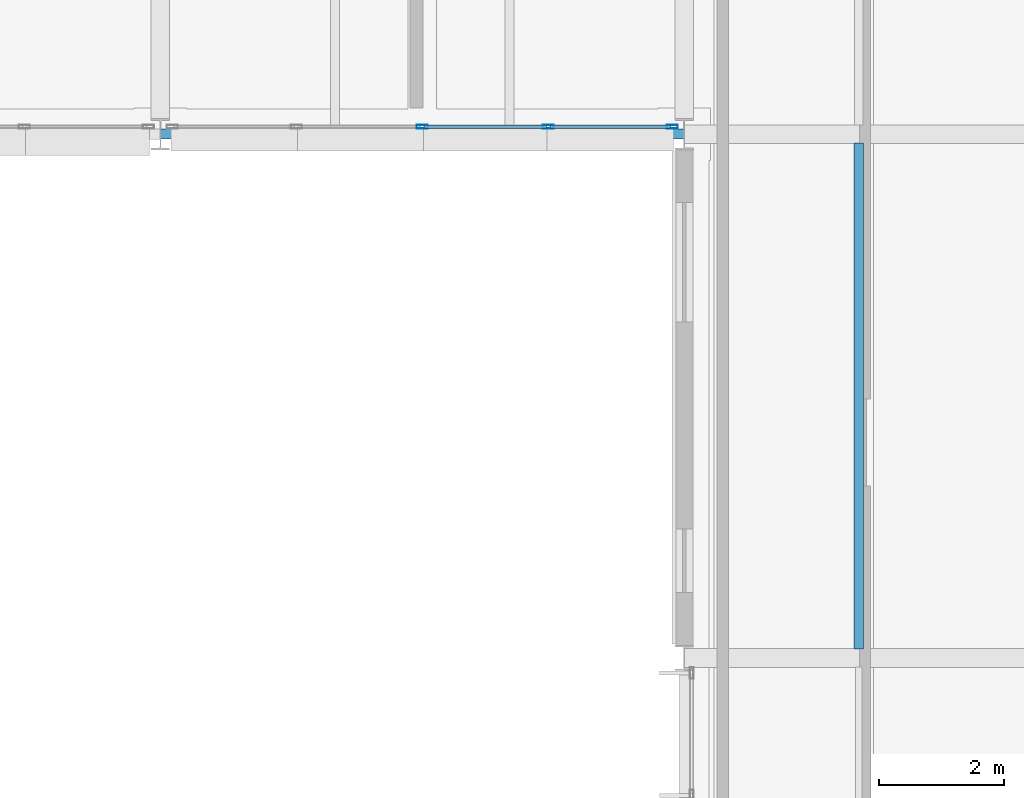
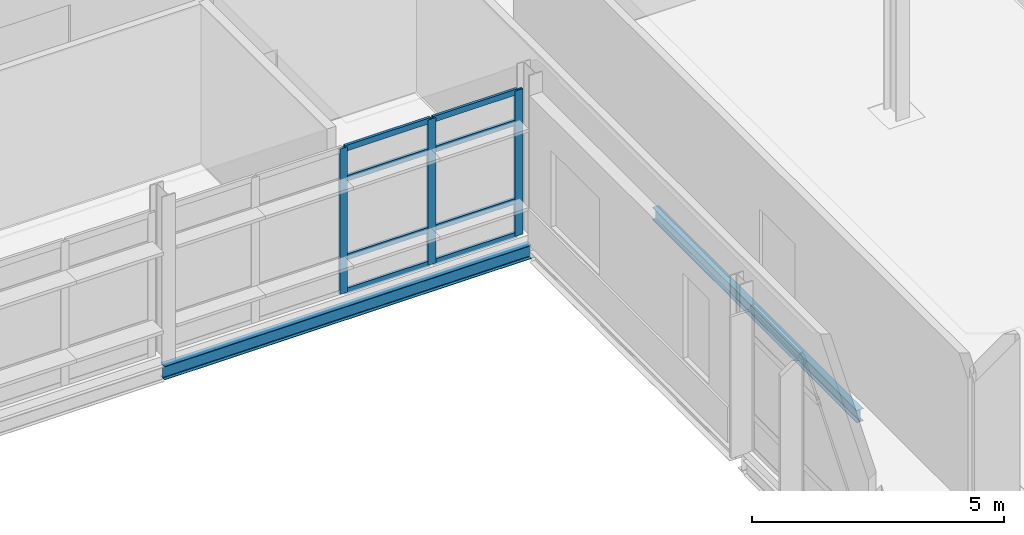
# One storey, part 73 of 151: 11 members, 2 beams, 1 element without a shape of its own.
"""IFC4 building model written with IfcOpenShell, lengths in metres."""

from ifc_helpers import new_model, si_unit, direction, frame, origin, origin_2d, place, context, subcontext, project, spatial, hollow_rectangle, i_section, extrude, material, material_profile, profile_set, type_object, element, aggregate, save


model = new_model("IFC4")

# Units and contexts
model_context = context("Model", 3, precision=1e-05, world=origin(), true_north=direction((0.0, 1.0)))
body_context = subcontext(model_context, "Body", "Model", "MODEL_VIEW")
ifc_project = project(units=[si_unit("LENGTHUNIT", "METRE"), si_unit("AREAUNIT", "SQUARE_METRE"), si_unit("VOLUMEUNIT", "CUBIC_METRE"), si_unit("PLANEANGLEUNIT", "RADIAN"), si_unit("MASSUNIT", "GRAM", prefix="KILO")], contexts=[model_context])

# Site, building, storey
site_placement = place(None, origin())
site = spatial("IfcSite", under=ifc_project, at=site_placement, CompositionType="ELEMENT")
building_placement = place(site_placement, origin())
building = spatial("IfcBuilding", under=site, at=building_placement, Name="Mersafa Astral City Hall", CompositionType="ELEMENT")
storey_placement = place(building_placement, frame((0.0, 0.0, 9.89990234375)))
storey = spatial("IfcBuildingStorey", under=building, at=storey_placement, Name="L02", CompositionType="ELEMENT", Elevation=9.89990234375)

# Curtain wall, members
ifc_material_1 = material(Name="Anodised bronze aluminium framing", Category="aluminium")
curtain_wall_type = type_object("IfcCurtainWallType", Name="ENV-CW-4", PredefinedType="USERDEFINED", material=ifc_material_1)
curtain_wall_placement = place(storey_placement, origin())
curtain_wall = element("IfcCurtainWall", 1, at=curtain_wall_placement, inside=storey, type_object=curtain_wall_type, Name="L02 Unitised solar curtain wall 141", ObjectType="UNITISED CURTAIN WALL", PredefinedType="USERDEFINED")
ifc_material_profile_1 = material_profile(ifc_material_1, hollow_rectangle(XDim=0.06005859375, YDim=0.179931640625, WallThickness=0.00390625, at=origin_2d()), Name="RHS 60x180x4")
ifc_profile_set_1 = profile_set([ifc_material_profile_1], Name="Anodised bronze aluminium framing")
member_type_1 = type_object("IfcMemberType", Name="ENV-CW-MUL-1", PredefinedType="MULLION", material=ifc_profile_set_1)
member_1_placement = place(storey_placement, frame((96.60009765625, 117.719970703125, -0.001953125), z_axis=(0.0, 0.0, 1.0), x_axis=(0.0, 1.0, 0.0)))
member_1 = element("IfcMember", 2, at=member_1_placement, type_object=member_type_1, Name="CW-4 mullion 3", PredefinedType="MULLION", context=body_context, shape_type="SweptSolid", body=[
    extrude(hollow_rectangle(XDim=0.06005859375, YDim=0.179931640625, WallThickness=0.00390625, at=origin_2d()), origin(), (0.0, 0.0, 1.0), 3.51904296875),
])
member_2_placement = place(storey_placement, frame((98.618896484375, 117.719970703125, -0.001953125), z_axis=(0.0, 0.0, 1.0), x_axis=(0.0, 1.0, 0.0)))
member_2 = element("IfcMember", 3, at=member_2_placement, type_object=member_type_1, Name="CW-4 mullion 4", PredefinedType="MULLION", context=body_context, shape_type="SweptSolid", body=[
    extrude(hollow_rectangle(XDim=0.06005859375, YDim=0.179931640625, WallThickness=0.00390625, at=origin_2d()), origin(), (0.0, 0.0, 1.0), 3.51904296875),
])
member_3_placement = place(storey_placement, frame((100.60791015625, 117.719970703125, -0.001953125), z_axis=(0.0, 0.0, 1.0), x_axis=(0.0, 1.0, 0.0)))
member_3 = element("IfcMember", 4, at=member_3_placement, type_object=member_type_1, Name="CW-4 mullion 5", PredefinedType="MULLION", context=body_context, shape_type="SweptSolid", body=[
    extrude(hollow_rectangle(XDim=0.06005859375, YDim=0.179931640625, WallThickness=0.00390625, at=origin_2d()), origin(), (0.0, 0.0, 1.0), 3.51904296875),
])
ifc_material_profile_2 = material_profile(ifc_material_1, hollow_rectangle(XDim=0.06005859375, YDim=0.139892578125, WallThickness=0.00390625, at=origin_2d()), Name="RHS 60x140x4")
ifc_profile_set_2 = profile_set([ifc_material_profile_2], Name="Anodised bronze aluminium framing")
member_type_2 = type_object("IfcMemberType", Name="ENV-CW-TRN-1", PredefinedType="USERDEFINED", material=ifc_profile_set_2)
member_4_placement = place(storey_placement, frame((96.6298828125, 117.719970703125, 0.028076171875), z_axis=(1.0, 0.0, 0.0), x_axis=(0.0, 1.0, 0.0)))
member_4 = element("IfcMember", 5, at=member_4_placement, type_object=member_type_2, Name="CW-4 transom 3.1", ObjectType="TRANSOM", PredefinedType="USERDEFINED", context=body_context, shape_type="SweptSolid", body=[
    extrude(hollow_rectangle(XDim=0.06005859375, YDim=0.139892578125, WallThickness=0.00390625, at=origin_2d()), origin(), (0.0, 0.0, 1.0), 1.959228515625),
])
member_5_placement = place(storey_placement, frame((96.6298828125, 117.719970703125, 0.85009765625), z_axis=(1.0, 0.0, 0.0), x_axis=(0.0, 1.0, 0.0)))
member_5 = element("IfcMember", 6, at=member_5_placement, type_object=member_type_2, Name="CW-4 transom 3.2", ObjectType="TRANSOM", PredefinedType="USERDEFINED", context=body_context, shape_type="SweptSolid", body=[
    extrude(hollow_rectangle(XDim=0.06005859375, YDim=0.139892578125, WallThickness=0.00390625, at=origin_2d()), origin(), (0.0, 0.0, 1.0), 1.959228515625),
])
member_6_placement = place(storey_placement, frame((96.6298828125, 117.719970703125, 2.75), z_axis=(1.0, 0.0, 0.0), x_axis=(0.0, 1.0, 0.0)))
member_6 = element("IfcMember", 7, at=member_6_placement, type_object=member_type_2, Name="CW-4 transom 3.3", ObjectType="TRANSOM", PredefinedType="USERDEFINED", context=body_context, shape_type="SweptSolid", body=[
    extrude(hollow_rectangle(XDim=0.06005859375, YDim=0.139892578125, WallThickness=0.00390625, at=origin_2d()), origin(), (0.0, 0.0, 1.0), 1.959228515625),
])
member_7_placement = place(storey_placement, frame((96.6298828125, 117.719970703125, 3.487060546875), z_axis=(1.0, 0.0, 0.0), x_axis=(0.0, 1.0, 0.0)))
member_7 = element("IfcMember", 8, at=member_7_placement, type_object=member_type_2, Name="CW-4 transom 3.4", ObjectType="TRANSOM", PredefinedType="USERDEFINED", context=body_context, shape_type="SweptSolid", body=[
    extrude(hollow_rectangle(XDim=0.06005859375, YDim=0.139892578125, WallThickness=0.00390625, at=origin_2d()), origin(), (0.0, 0.0, 1.0), 1.959228515625),
])
member_8_placement = place(storey_placement, frame((98.64892578125, 117.719970703125, 0.028076171875), z_axis=(1.0, 0.0, 0.0), x_axis=(0.0, 1.0, 0.0)))
member_8 = element("IfcMember", 9, at=member_8_placement, type_object=member_type_2, Name="CW-4 transom 4.1", ObjectType="TRANSOM", PredefinedType="USERDEFINED", context=body_context, shape_type="SweptSolid", body=[
    extrude(hollow_rectangle(XDim=0.06005859375, YDim=0.139892578125, WallThickness=0.00390625, at=origin_2d()), origin(), (0.0, 0.0, 1.0), 1.928955078125),
])
member_9_placement = place(storey_placement, frame((98.64892578125, 117.719970703125, 0.85009765625), z_axis=(1.0, 0.0, 0.0), x_axis=(0.0, 1.0, 0.0)))
member_9 = element("IfcMember", 10, at=member_9_placement, type_object=member_type_2, Name="CW-4 transom 4.2", ObjectType="TRANSOM", PredefinedType="USERDEFINED", context=body_context, shape_type="SweptSolid", body=[
    extrude(hollow_rectangle(XDim=0.06005859375, YDim=0.139892578125, WallThickness=0.00390625, at=origin_2d()), origin(), (0.0, 0.0, 1.0), 1.928955078125),
])
member_10_placement = place(storey_placement, frame((98.64892578125, 117.719970703125, 2.75), z_axis=(1.0, 0.0, 0.0), x_axis=(0.0, 1.0, 0.0)))
member_10 = element("IfcMember", 11, at=member_10_placement, type_object=member_type_2, Name="CW-4 transom 4.3", ObjectType="TRANSOM", PredefinedType="USERDEFINED", context=body_context, shape_type="SweptSolid", body=[
    extrude(hollow_rectangle(XDim=0.06005859375, YDim=0.139892578125, WallThickness=0.00390625, at=origin_2d()), origin(), (0.0, 0.0, 1.0), 1.928955078125),
])
member_11_placement = place(storey_placement, frame((98.64892578125, 117.719970703125, 3.487060546875), z_axis=(1.0, 0.0, 0.0), x_axis=(0.0, 1.0, 0.0)))
member_11 = element("IfcMember", 12, at=member_11_placement, type_object=member_type_2, Name="CW-4 transom 4.4", ObjectType="TRANSOM", PredefinedType="USERDEFINED", context=body_context, shape_type="SweptSolid", body=[
    extrude(hollow_rectangle(XDim=0.06005859375, YDim=0.139892578125, WallThickness=0.00390625, at=origin_2d()), origin(), (0.0, 0.0, 1.0), 1.928955078125),
])
aggregate(curtain_wall, [member_1, member_2, member_3, member_4, member_5, member_6, member_7, member_8, member_9, member_10, member_11])

# Beams
ifc_material_2 = material(Name="Steel S355", Category="steel")
ifc_material_profile_3 = material_profile(ifc_material_2, i_section(OverallWidth=0.14990234375, OverallDepth=0.300048828125, WebThickness=0.007080078125, FlangeThickness=0.0107421875, FilletRadius=0.014892578125, at=origin_2d()), Name="IPE 300")
ifc_profile_set_3 = profile_set([ifc_material_profile_3], Name="Steel S355")
beam_type_1 = type_object("IfcBeamType", Name="STR-BM-JOIST-IPE300", PredefinedType="JOIST", material=ifc_profile_set_3)
beam_1_placement = place(storey_placement, frame((103.60009765625, 109.344970703125, -0.349853515625), z_axis=(0.0, 1.0, 0.0), x_axis=(-1.0, 0.0, 0.0)))
element("IfcBeam", 13, at=beam_1_placement, inside=storey, type_object=beam_type_1, Name="L02 Composite secondary floor joist 466", PredefinedType="JOIST", context=body_context, shape_type="SweptSolid", body=[
    extrude(i_section(OverallWidth=0.14990234375, OverallDepth=0.300048828125, WebThickness=0.007080078125, FlangeThickness=0.0107421875, FilletRadius=0.014892578125, at=origin_2d()), origin(), (0.0, 0.0, 1.0), 8.110107421875),
])
ifc_material_profile_4 = material_profile(ifc_material_2, i_section(OverallWidth=0.159912109375, OverallDepth=0.330078125, WebThickness=0.007568359375, FlangeThickness=0.011474609375, FilletRadius=0.01806640625, at=origin_2d()), Name="IPE 330")
ifc_profile_set_4 = profile_set([ifc_material_profile_4], Name="Steel S355")
beam_type_2 = type_object("IfcBeamType", Name="STR-BM-SPANDREL-IPE330", PredefinedType="SPANDREL", material=ifc_profile_set_4)
beam_2_placement = place(storey_placement, frame((92.403076171875, 117.60009765625, -0.364990234375), z_axis=(1.0, 0.0, 0.0), x_axis=(0.0, 1.0, 0.0)))
element("IfcBeam", 14, at=beam_2_placement, inside=storey, type_object=beam_type_2, Name="L02 Primary girder X 11-14", PredefinedType="SPANDREL", context=body_context, shape_type="SweptSolid", body=[
    extrude(i_section(OverallWidth=0.159912109375, OverallDepth=0.330078125, WebThickness=0.007568359375, FlangeThickness=0.011474609375, FilletRadius=0.01806640625, at=origin_2d()), origin(), (0.0, 0.0, 1.0), 8.39404296875),
])

save(model, "model.ifc")
